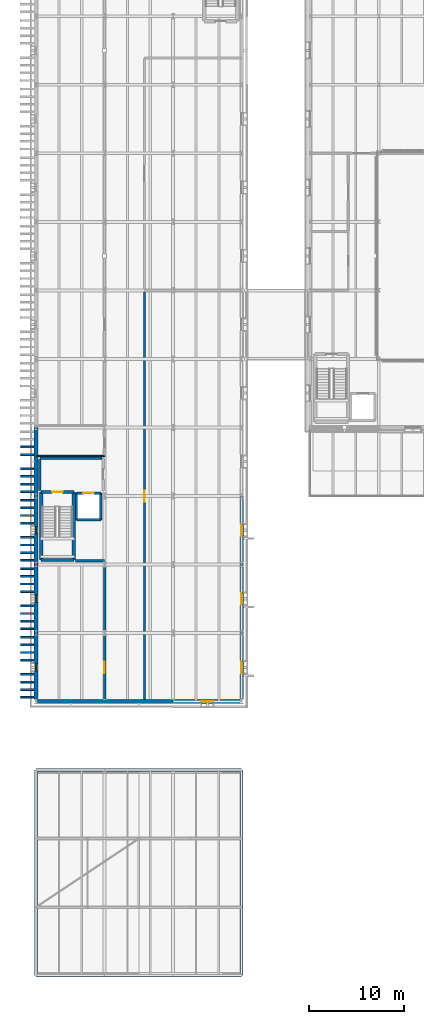
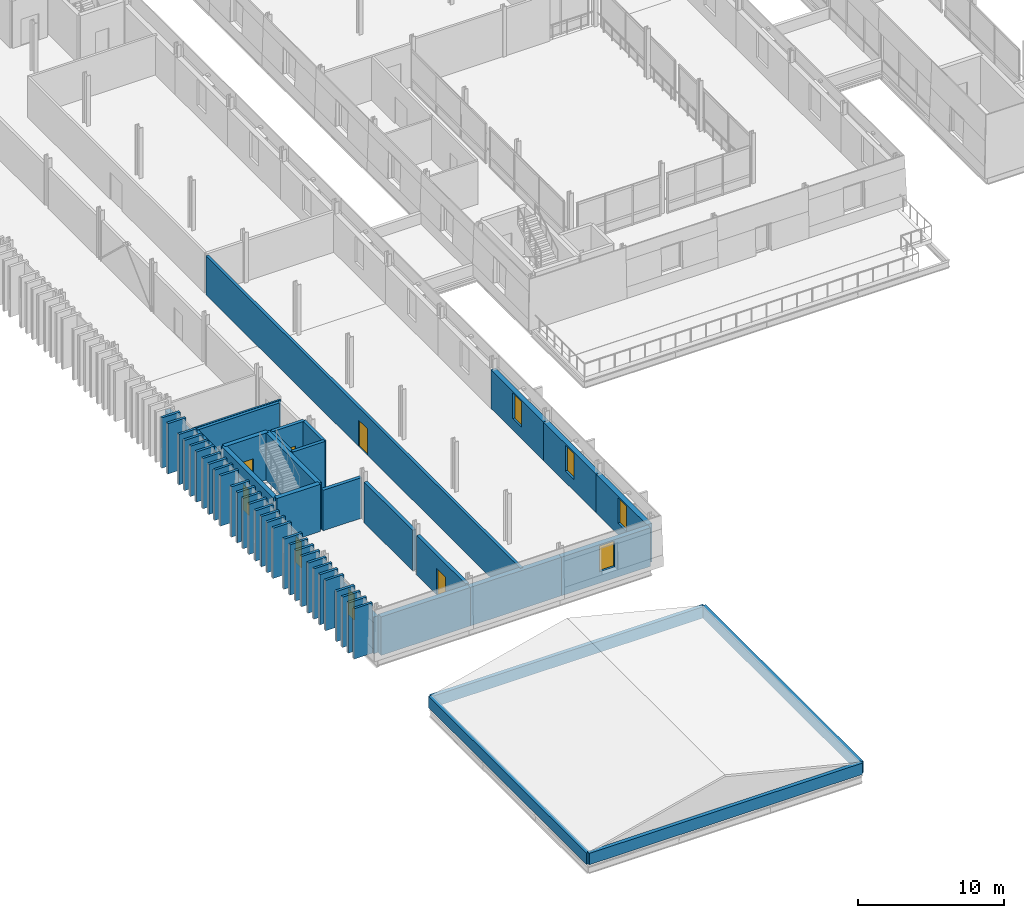
# One storey, part 56 of 91: 59 walls, 7 windows, 4 doors, 11 openings.
"""IFC4 building model written with IfcOpenShell, lengths in metres."""

from ifc_helpers import new_model, si_unit, direction, frame, frame_2d, origin, place, context, subcontext, project, spatial, rectangle, extrude, material, layer, layer_set, type_object, element, fill, save


model = new_model("IFC4")

# Units and contexts
model_context = context("Model", 3, precision=1e-05, world=origin(), true_north=direction((0.0, 1.0)))
body_context = subcontext(model_context, "Body", "Model", "MODEL_VIEW")
ifc_project = project(units=[si_unit("LENGTHUNIT", "METRE"), si_unit("AREAUNIT", "SQUARE_METRE"), si_unit("VOLUMEUNIT", "CUBIC_METRE"), si_unit("PLANEANGLEUNIT", "RADIAN"), si_unit("MASSUNIT", "GRAM", prefix="KILO")], contexts=[model_context])

# Site, building, storey
site_placement = place(None, origin())
site = spatial("IfcSite", under=ifc_project, at=site_placement, CompositionType="ELEMENT")
building_placement = place(site_placement, origin())
building = spatial("IfcBuilding", under=site, at=building_placement, Name="Narikvali Park Central Library", CompositionType="ELEMENT")
storey_placement = place(building_placement, frame((0.0, 0.0, 14.39990234375)))
storey = spatial("IfcBuildingStorey", under=building, at=storey_placement, Name="L03", CompositionType="ELEMENT", Elevation=14.39990234375)

# Wall, opening, door
ifc_material_1 = material(Name="Reinforced Masonry Blockwork C30/37", Category="masonry")
ifc_layer_1 = layer(ifc_material_1, 0.219970703125, Name="Reinforced Masonry Blockwork C30/37")
ifc_layer_set_1 = layer_set([ifc_layer_1], Name="Reinforced Masonry Blockwork C30/37")
wall_type_1 = type_object("IfcWallType", Name="Archive Fire-Resisting Partition 220", PredefinedType="SOLIDWALL", material=ifc_layer_set_1)
wall_1_placement = place(storey_placement, frame((11.39990234375, 28.85498046875, 0.0), z_axis=(0.0, 0.0, 1.0), x_axis=(0.0, 1.0, 0.0)))
wall_1 = element("IfcWall", 1, at=wall_1_placement, inside=storey, type_object=wall_type_1, Name="Closed Book Stacks L03 Partition W", PredefinedType="SOLIDWALL", context=body_context, shape_type="SweptSolid", body=[
    extrude(rectangle(XDim=43.032958984375, YDim=0.219970703125, at=frame_2d((21.5166015625, 0.0))), origin(), (0.0, 0.0, 1.0), 3.2451171875),
])
opening_1_placement = place(wall_1_placement, frame((20.91650390625, 0.0, 0.0)))
opening_1 = element("IfcOpeningElement", 2, at=opening_1_placement, cuts=wall_1, Name="Opening ID-0132", PredefinedType="OPENING", context=body_context, shape_type="SweptSolid", body=[
    extrude(rectangle(XDim=1.199951171875, YDim=2.199951171875, at=frame_2d((0.60009765625, 1.10009765625))), frame((0.0, 0.1220703125, 0.0), z_axis=(0.0, -1.0, 0.0), x_axis=(1.0, 0.0, 0.0)), (0.0, 0.0, 1.0), 0.243896484375),
])
ifc_material_2 = material(Name="Insulated Steel S355 Vault Leaf", Category="steel")
door_type_1 = type_object("IfcDoorType", Name="Archive Vault Heavy Fire Door 1200x2200", OperationType="SINGLE_SWING_LEFT", PredefinedType="DOOR", material=ifc_material_2)
door_1_placement = place(opening_1_placement, frame((1.199951171875, 0.0, 0.0), z_axis=(0.0, 0.0, 1.0), x_axis=(-1.0, 0.0, 0.0)))
door_1 = element("IfcDoor", 3, at=door_1_placement, inside=storey, type_object=door_type_1, Name="Closed Book Stacks L03 Door ID-0132", OperationType="SINGLE_SWING_RIGHT", OverallHeight=2.199951171875, OverallWidth=1.199951171875, PredefinedType="DOOR", context=body_context, shape_type="SweptSolid", body=[
    extrude(rectangle(XDim=1.199951171875, YDim=2.199951171875, at=frame_2d((0.60009765625, 1.10009765625))), frame((0.0, 0.02490234375, 0.0), z_axis=(0.0, -1.0, 0.0), x_axis=(1.0, 0.0, 0.0)), (0.0, 0.0, 1.0), 0.050048828125),
])
fill(opening_1, door_1)

# Walls
ifc_material_3 = material(Name="Autoclaved Concrete Blockwork C25/30", Category="masonry")
ifc_layer_2 = layer(ifc_material_3, 0.239990234375, Name="Autoclaved Concrete Blockwork C25/30")
ifc_layer_set_2 = layer_set([ifc_layer_2], Name="Autoclaved Concrete Blockwork C25/30")
wall_type_2 = type_object("IfcWallType", Name="Fire Compartment Concrete Block Wall 240", PredefinedType="SOLIDWALL", material=ifc_layer_set_2)
wall_2_placement = place(storey_placement, frame((0.39990234375, 54.35009765625, 0.0), z_axis=(0.0, 0.0, 1.0), x_axis=(1.0, 0.0, 0.0)))
element("IfcWall", 4, at=wall_2_placement, inside=storey, type_object=wall_type_2, Name="C5A L03 Firefighting Lobby Wall N", PredefinedType="SOLIDWALL", context=body_context, shape_type="SweptSolid", body=[
    extrude(rectangle(XDim=6.52001953125, YDim=0.239990234375, at=frame_2d((3.260009765625, 0.0))), origin(), (0.0, 0.0, 1.0), 3.2001953125),
])
wall_3_placement = place(storey_placement, frame((0.39990234375, 50.949951171875, 0.0), z_axis=(0.0, 0.0, 1.0), x_axis=(0.0, 1.0, 0.0)))
element("IfcWall", 5, at=wall_3_placement, inside=storey, type_object=wall_type_2, Name="C5A L03 Firefighting Lobby Wall W", PredefinedType="SOLIDWALL", context=body_context, shape_type="SweptSolid", body=[
    extrude(rectangle(XDim=3.27001953125, YDim=0.239990234375, at=frame_2d((1.635009765625, 0.0))), origin(), (0.0, 0.0, 1.0), 3.2001953125),
])
ifc_material_4 = material(Name="Kiln-Fired Terracotta Red Brick Masonry", Category="masonry")
ifc_layer_3 = layer(ifc_material_4, 0.199951171875, Name="Kiln-Fired Terracotta Red Brick Masonry")
ifc_layer_set_3 = layer_set([ifc_layer_3], Name="Kiln-Fired Terracotta Red Brick Masonry")
wall_type_3 = type_object("IfcWallType", Name="Kiln-Fired Red Brick Vertical Fin Wall 200", PredefinedType="SOLIDWALL", material=ifc_layer_set_3)
for number, where, z_axis, x_axis, name in (
    (6, (-1.659912109375, 29.25, 0.0), (0.0, 0.0, 1.0), (1.0, 0.0, 0.0), "West Stacks Red Brick Vertical Fin Pier 004"),
    (7, (-1.659912109375, 30.050048828125, 0.0), (0.0, 0.0, 1.0), (1.0, 0.0, 0.0), "West Stacks Red Brick Vertical Fin Pier 008"),
    (8, (-1.659912109375, 30.85009765625, 0.0), (0.0, 0.0, 1.0), (1.0, 0.0, 0.0), "West Stacks Red Brick Vertical Fin Pier 012"),
    (9, (-1.659912109375, 31.64990234375, 0.0), (0.0, 0.0, 1.0), (1.0, 0.0, 0.0), "West Stacks Red Brick Vertical Fin Pier 016"),
    (10, (-1.659912109375, 33.14990234375, 0.0), (0.0, 0.0, 1.0), (1.0, 0.0, 0.0), "West Stacks Red Brick Vertical Fin Pier 020"),
    (11, (-1.659912109375, 33.949951171875, 0.0), (0.0, 0.0, 1.0), (1.0, 0.0, 0.0), "West Stacks Red Brick Vertical Fin Pier 024"),
    (12, (-1.659912109375, 34.75, 0.0), (0.0, 0.0, 1.0), (1.0, 0.0, 0.0), "West Stacks Red Brick Vertical Fin Pier 028"),
    (13, (-1.659912109375, 35.550048828125, 0.0), (0.0, 0.0, 1.0), (1.0, 0.0, 0.0), "West Stacks Red Brick Vertical Fin Pier 032"),
    (14, (-1.659912109375, 36.449951171875, 0.0), (0.0, 0.0, 1.0), (1.0, 0.0, 0.0), "West Stacks Red Brick Vertical Fin Pier 036"),
    (15, (-1.659912109375, 37.25, 0.0), (0.0, 0.0, 1.0), (1.0, 0.0, 0.0), "West Stacks Red Brick Vertical Fin Pier 041"),
    (16, (-1.659912109375, 38.050048828125, 0.0), (0.0, 0.0, 1.0), (1.0, 0.0, 0.0), "West Stacks Red Brick Vertical Fin Pier 046"),
    (17, (-1.659912109375, 38.85009765625, 0.0), (0.0, 0.0, 1.0), (1.0, 0.0, 0.0), "West Stacks Red Brick Vertical Fin Pier 051"),
    (18, (-1.659912109375, 40.35009765625, 0.0), (0.0, 0.0, 1.0), (1.0, 0.0, 0.0), "West Stacks Red Brick Vertical Fin Pier 056"),
    (19, (-1.659912109375, 41.14990234375, 0.0), (0.0, 0.0, 1.0), (1.0, 0.0, 0.0), "West Stacks Red Brick Vertical Fin Pier 061"),
    (20, (-1.659912109375, 41.949951171875, 0.0), (0.0, 0.0, 1.0), (1.0, 0.0, 0.0), "West Stacks Red Brick Vertical Fin Pier 066"),
    (21, (-1.659912109375, 42.75, 0.0), (0.0, 0.0, 1.0), (1.0, 0.0, 0.0), "West Stacks Red Brick Vertical Fin Pier 071"),
    (22, (-1.659912109375, 43.64990234375, 0.0), (0.0, 0.0, 1.0), (1.0, 0.0, 0.0), "West Stacks Red Brick Vertical Fin Pier 076"),
    (23, (-1.659912109375, 44.449951171875, 0.0), (0.0, 0.0, 1.0), (1.0, 0.0, 0.0), "West Stacks Red Brick Vertical Fin Pier 082"),
    (24, (-1.659912109375, 45.25, 0.0), (0.0, 0.0, 1.0), (1.0, 0.0, 0.0), "West Stacks Red Brick Vertical Fin Pier 088"),
    (25, (-1.659912109375, 46.050048828125, 0.0), (0.0, 0.0, 1.0), (1.0, 0.0, 0.0), "West Stacks Red Brick Vertical Fin Pier 094"),
    (26, (-1.659912109375, 47.550048828125, 0.0), (0.0, 0.0, 1.0), (1.0, 0.0, 0.0), "West Stacks Red Brick Vertical Fin Pier 100"),
    (27, (-1.659912109375, 48.35009765625, 0.0), (0.0, 0.0, 1.0), (1.0, 0.0, 0.0), "West Stacks Red Brick Vertical Fin Pier 106"),
    (28, (-1.659912109375, 49.14990234375, 0.0), (0.0, 0.0, 1.0), (1.0, 0.0, 0.0), "West Stacks Red Brick Vertical Fin Pier 112"),
    (29, (-1.659912109375, 49.949951171875, 0.0), (0.0, 0.0, 1.0), (1.0, 0.0, 0.0), "West Stacks Red Brick Vertical Fin Pier 118"),
    (30, (-1.659912109375, 50.85009765625, 0.0), (0.0, 0.0, 1.0), (1.0, 0.0, 0.0), "West Stacks Red Brick Vertical Fin Pier 124"),
    (31, (-1.659912109375, 51.64990234375, 0.0), (0.0, 0.0, 1.0), (1.0, 0.0, 0.0), "West Stacks Red Brick Vertical Fin Pier 130"),
    (32, (-1.659912109375, 52.449951171875, 0.0), (0.0, 0.0, 1.0), (1.0, 0.0, 0.0), "West Stacks Red Brick Vertical Fin Pier 136"),
    (33, (-1.659912109375, 53.25, 0.0), (0.0, 0.0, 1.0), (1.0, 0.0, 0.0), "West Stacks Red Brick Vertical Fin Pier 142"),
    (34, (-1.659912109375, 54.75, 0.0), (0.0, 0.0, 1.0), (1.0, 0.0, 0.0), "West Stacks Red Brick Vertical Fin Pier 148"),
    (35, (-1.659912109375, 55.550048828125, 0.0), (0.0, 0.0, 1.0), (1.0, 0.0, 0.0), "West Stacks Red Brick Vertical Fin Pier 154"),
):
    element("IfcWall", number, at=place(storey_placement, frame(where, z_axis=z_axis, x_axis=x_axis)), inside=storey, type_object=wall_type_3, Name=name, PredefinedType="SOLIDWALL", context=body_context, shape_type="SweptSolid", body=[
        extrude(rectangle(XDim=1.43994140625, YDim=0.199951171875, at=frame_2d((0.719970703125, 0.0))), origin(), (0.0, 0.0, 1.0), 4.2001953125),
    ])
ifc_material_5 = material(Name="White Honed Limestone over Concrete C35/45", Category="masonry")
ifc_layer_4 = layer(ifc_material_5, 0.300048828125, Name="White Honed Limestone over Concrete C35/45")
ifc_layer_set_4 = layer_set([ifc_layer_4], Name="White Honed Limestone over Concrete C35/45")
wall_type_4 = type_object("IfcWallType", Name="Limestone Coping Parapet Wall 300", PredefinedType="PARAPET", material=ifc_layer_set_4)
for number, where, z_axis, x_axis, name in (
    (36, (0.0, 0.0, 0.0), (0.0, 0.0, 1.0), (1.0, 0.0, 0.0), "V2 L03 Roof Limestone Parapet S"),
    (37, (21.60009765625, 0.0, 0.0), (0.0, 0.0, 1.0), (0.0, 1.0, 0.0), "V2 L03 Roof Limestone Parapet E"),
    (38, (21.60009765625, 21.60009765625, 0.0), (0.0, 0.0, 1.0), (-1.0, 0.0, 0.0), "V2 L03 Roof Limestone Parapet N"),
    (39, (0.0, 21.60009765625, 0.0), (0.0, 0.0, 1.0), (0.0, -1.0, 0.0), "V2 L03 Roof Limestone Parapet W"),
):
    element("IfcWall", number, at=place(storey_placement, frame(where, z_axis=z_axis, x_axis=x_axis)), inside=storey, type_object=wall_type_4, Name=name, PredefinedType="PARAPET", context=body_context, shape_type="SweptSolid", body=[
        extrude(rectangle(XDim=21.60009765625, YDim=0.300048828125, at=frame_2d((10.800048828125, 0.0))), origin(), (0.0, 0.0, 1.0), 0.9501953125),
    ])
ifc_material_6 = material(Name="Moisture-Resistant Cement Board on Steel Studs", Category="steel")
ifc_layer_5 = layer(ifc_material_6, 0.14990234375, Name="Moisture-Resistant Cement Board on Steel Studs")
ifc_layer_set_5 = layer_set([ifc_layer_5], Name="Moisture-Resistant Cement Board on Steel Studs")
wall_type_5 = type_object("IfcWallType", Name="Moisture-Resistant WC Partition 150", PredefinedType="PARTITIONING", material=ifc_layer_set_5)
wall_4_placement = place(storey_placement, frame((0.054931640625, 54.60009765625, 0.0), z_axis=(0.0, 0.0, 1.0), x_axis=(1.0, 0.0, 0.0)))
element("IfcWall", 40, at=wall_4_placement, inside=storey, type_object=wall_type_5, Name="Stacks Wing Accessible WC L03 Partition S", PredefinedType="PARTITIONING", context=body_context, shape_type="SweptSolid", body=[
    extrude(rectangle(XDim=7.14501953125, YDim=0.14990234375, at=frame_2d((3.572509765625, 0.0))), origin(), (0.0, 0.0, 1.0), 3.172119140625),
])
ifc_material_7 = material(Name="High-Density Concrete Blockwork C35/45", Category="masonry")
ifc_layer_6 = layer(ifc_material_7, 0.27001953125, Name="High-Density Concrete Blockwork C35/45")
ifc_layer_set_6 = layer_set([ifc_layer_6], Name="High-Density Concrete Blockwork C35/45")
wall_type_6 = type_object("IfcWallType", Name="Rare Books Vault Partition Wall 270", PredefinedType="SOLIDWALL", material=ifc_layer_set_6)
wall_5_placement = place(storey_placement, frame((4.14697265625, 43.60009765625, 0.0), z_axis=(0.0, 0.0, 1.0), x_axis=(1.0, 0.0, 0.0)))
element("IfcWall", 41, at=wall_5_placement, inside=storey, type_object=wall_type_6, Name="Municipal Records Archive L03 Partition N", PredefinedType="SOLIDWALL", context=body_context, shape_type="SweptSolid", body=[
    extrude(rectangle(XDim=3.052978515625, YDim=0.27001953125, at=frame_2d((1.5263671875, 0.0))), origin(), (0.0, 0.0, 1.0), 3.385009765625),
])

# Wall, opening, door
wall_6_placement = place(storey_placement, frame((7.199951171875, 29.029052734375, 0.0), z_axis=(0.0, 0.0, 1.0), x_axis=(0.0, 1.0, 0.0)))
wall_6 = element("IfcWall", 42, at=wall_6_placement, inside=storey, type_object=wall_type_6, Name="Municipal Records Archive L03 Partition E", PredefinedType="SOLIDWALL", context=body_context, shape_type="SweptSolid", body=[
    extrude(rectangle(XDim=6.69189453125, YDim=0.27001953125, at=frame_2d((3.345947265625, 0.0))), origin(), (0.0, 0.0, 1.0), 3.30517578125),
])
opening_2_placement = place(wall_6_placement, frame((2.74609375, 0.0, 0.0)))
opening_2 = element("IfcOpeningElement", 43, at=opening_2_placement, cuts=wall_6, Name="Opening ID-0129", PredefinedType="OPENING", context=body_context, shape_type="SweptSolid", body=[
    extrude(rectangle(XDim=1.199951171875, YDim=2.199951171875, at=frame_2d((0.60009765625, 1.10009765625))), frame((0.0, 0.14697265625, 0.0), z_axis=(0.0, -1.0, 0.0), x_axis=(1.0, 0.0, 0.0)), (0.0, 0.0, 1.0), 0.2939453125),
])
door_2_placement = place(opening_2_placement, origin())
door_2 = element("IfcDoor", 44, at=door_2_placement, inside=storey, type_object=door_type_1, Name="Municipal Records Archive L03 Door ID-0129", OperationType="SINGLE_SWING_LEFT", OverallHeight=2.199951171875, OverallWidth=1.199951171875, PredefinedType="DOOR", context=body_context, shape_type="SweptSolid", body=[
    extrude(rectangle(XDim=1.199951171875, YDim=2.199951171875, at=frame_2d((0.60009765625, 1.10009765625))), frame((0.0, 0.02490234375, 0.0), z_axis=(0.0, -1.0, 0.0), x_axis=(1.0, 0.0, 0.0)), (0.0, 0.0, 1.0), 0.050048828125),
])
fill(opening_2, door_2)

# Walls
wall_7_placement = place(storey_placement, frame((7.199951171875, 36.279052734375, 0.0), z_axis=(0.0, 0.0, 1.0), x_axis=(0.0, 1.0, 0.0)))
element("IfcWall", 45, at=wall_7_placement, inside=storey, type_object=wall_type_6, Name="Municipal Records Archive L03 Partition E", PredefinedType="SOLIDWALL", context=body_context, shape_type="SweptSolid", body=[
    extrude(rectangle(XDim=6.641845703125, YDim=0.27001953125, at=frame_2d((3.32080078125, 0.0))), origin(), (0.0, 0.0, 1.0), 3.385009765625),
])
ifc_material_8 = material(Name="Concrete C40/50", Category="concrete")
ifc_layer_7 = layer(ifc_material_8, 0.35009765625, Name="Concrete C40/50")
ifc_layer_set_7 = layer_set([ifc_layer_7], Name="Concrete C40/50")
wall_type_7 = type_object("IfcWallType", Name="Reinforced Concrete Core Shear Wall 350", PredefinedType="SHEAR", material=ifc_layer_set_7)
wall_8_placement = place(storey_placement, frame((0.530029296875, 43.679931640625, 0.0), z_axis=(0.0, 0.0, 1.0), x_axis=(1.0, 0.0, 0.0)))
element("IfcWall", 46, at=wall_8_placement, inside=storey, type_object=wall_type_7, Name="C5A L03 Stair Core Shear Wall S", PredefinedType="SHEAR", context=body_context, shape_type="SweptSolid", body=[
    extrude(rectangle(XDim=3.43994140625, YDim=0.35009765625, at=frame_2d((1.719970703125, 0.0))), origin(), (0.0, 0.0, 1.0), 3.940185546875),
])
wall_9_placement = place(storey_placement, frame((3.969970703125, 43.679931640625, 0.0), z_axis=(0.0, 0.0, 1.0), x_axis=(0.0, 1.0, 0.0)))
element("IfcWall", 47, at=wall_9_placement, inside=storey, type_object=wall_type_7, Name="C5A L03 Stair Core Shear Wall E", PredefinedType="SHEAR", context=body_context, shape_type="SweptSolid", body=[
    extrude(rectangle(XDim=7.14013671875, YDim=0.35009765625, at=frame_2d((3.570068359375, 0.0))), origin(), (0.0, 0.0, 1.0), 3.940185546875),
])

# Wall, opening, door
wall_10_placement = place(storey_placement, frame((3.969970703125, 50.820068359375, 0.0), z_axis=(0.0, 0.0, 1.0), x_axis=(-1.0, 0.0, 0.0)))
wall_10 = element("IfcWall", 48, at=wall_10_placement, inside=storey, type_object=wall_type_7, Name="C5A L03 Stair Core Shear Wall N", PredefinedType="SHEAR", context=body_context, shape_type="SweptSolid", body=[
    extrude(rectangle(XDim=3.43994140625, YDim=0.35009765625, at=frame_2d((1.719970703125, 0.0))), origin(), (0.0, 0.0, 1.0), 3.940185546875),
])
opening_3_placement = place(wall_10_placement, frame((1.169921875, 0.0, 0.0)))
opening_3 = element("IfcOpeningElement", 49, at=opening_3_placement, cuts=wall_10, Name="Opening SD-044", PredefinedType="OPENING", context=body_context, shape_type="SweptSolid", body=[
    extrude(rectangle(XDim=1.10009765625, YDim=2.14990234375, at=frame_2d((0.550048828125, 1.074951171875))), frame((0.0, 0.18701171875, 0.0), z_axis=(0.0, -1.0, 0.0), x_axis=(1.0, 0.0, 0.0)), (0.0, 0.0, 1.0), 0.3740234375),
])
ifc_material_9 = material(Name="Powder-Coated Steel S275 Fire Leaf", Category="steel")
door_type_2 = type_object("IfcDoorType", Name="Stair Core Smoke-Control Fire Door 1100x2150", OperationType="SINGLE_SWING_LEFT", PredefinedType="DOOR", material=ifc_material_9)
door_3_placement = place(opening_3_placement, frame((1.10009765625, 0.0, 0.0), z_axis=(0.0, 0.0, 1.0), x_axis=(-1.0, 0.0, 0.0)))
door_3 = element("IfcDoor", 50, at=door_3_placement, inside=storey, type_object=door_type_2, Name="ST-09 L03 Stair Exit Door SD-044", OperationType="SINGLE_SWING_RIGHT", OverallHeight=2.14990234375, OverallWidth=1.10009765625, PredefinedType="DOOR", context=body_context, shape_type="SweptSolid", body=[
    extrude(rectangle(XDim=1.10009765625, YDim=2.14990234375, at=frame_2d((0.550048828125, 1.074951171875))), frame((0.0, 0.02490234375, 0.0), z_axis=(0.0, -1.0, 0.0), x_axis=(1.0, 0.0, 0.0)), (0.0, 0.0, 1.0), 0.050048828125),
])
fill(opening_3, door_3)

# Walls
wall_11_placement = place(storey_placement, frame((0.530029296875, 50.820068359375, 0.0), z_axis=(0.0, 0.0, 1.0), x_axis=(0.0, -1.0, 0.0)))
element("IfcWall", 51, at=wall_11_placement, inside=storey, type_object=wall_type_7, Name="C5A L03 Stair Core Shear Wall W", PredefinedType="SHEAR", context=body_context, shape_type="SweptSolid", body=[
    extrude(rectangle(XDim=7.14013671875, YDim=0.35009765625, at=frame_2d((3.570068359375, 0.0))), origin(), (0.0, 0.0, 1.0), 3.940185546875),
])
ifc_layer_8 = layer(ifc_material_8, 0.25, Name="Concrete C40/50")
ifc_layer_set_8 = layer_set([ifc_layer_8], Name="Concrete C40/50")
wall_type_8 = type_object("IfcWallType", Name="Reinforced Concrete Lift Shaft Wall 250", PredefinedType="SHEAR", material=ifc_layer_set_8)
wall_12_placement = place(storey_placement, frame((4.25, 47.89990234375, 0.0), z_axis=(0.0, 0.0, 1.0), x_axis=(1.0, 0.0, 0.0)))
element("IfcWall", 52, at=wall_12_placement, inside=storey, type_object=wall_type_8, Name="FF-01 L03 Lift Shaft Wall S", PredefinedType="SHEAR", context=body_context, shape_type="SweptSolid", body=[
    extrude(rectangle(XDim=2.550048828125, YDim=0.25, at=frame_2d((1.27490234375, 0.0))), origin(), (0.0, 0.0, 1.0), 3.940185546875),
])
wall_13_placement = place(storey_placement, frame((6.800048828125, 47.89990234375, 0.0), z_axis=(0.0, 0.0, 1.0), x_axis=(0.0, 1.0, 0.0)))
element("IfcWall", 53, at=wall_13_placement, inside=storey, type_object=wall_type_8, Name="FF-01 L03 Lift Shaft Wall E", PredefinedType="SHEAR", context=body_context, shape_type="SweptSolid", body=[
    extrude(rectangle(XDim=2.800048828125, YDim=0.25, at=frame_2d((1.39990234375, 0.0))), origin(), (0.0, 0.0, 1.0), 3.940185546875),
])

# Wall, opening, door
wall_14_placement = place(storey_placement, frame((6.800048828125, 50.699951171875, 0.0), z_axis=(0.0, 0.0, 1.0), x_axis=(-1.0, 0.0, 0.0)))
wall_14 = element("IfcWall", 54, at=wall_14_placement, inside=storey, type_object=wall_type_8, Name="FF-01 L03 Lift Shaft Wall N", PredefinedType="SHEAR", context=body_context, shape_type="SweptSolid", body=[
    extrude(rectangle(XDim=2.550048828125, YDim=0.25, at=frame_2d((1.27490234375, 0.0))), origin(), (0.0, 0.0, 1.0), 3.940185546875),
])
opening_4_placement = place(wall_14_placement, frame((0.72509765625, 0.0, 0.0)))
opening_4 = element("IfcOpeningElement", 55, at=opening_4_placement, cuts=wall_14, Name="Opening LD-038", PredefinedType="OPENING", context=body_context, shape_type="SweptSolid", body=[
    extrude(rectangle(XDim=1.10009765625, YDim=2.10009765625, at=frame_2d((0.550048828125, 1.050048828125))), frame((0.0, 0.136962890625, 0.0), z_axis=(0.0, -1.0, 0.0), x_axis=(1.0, 0.0, 0.0)), (0.0, 0.0, 1.0), 0.27392578125),
])
ifc_material_10 = material(Name="Brushed Stainless Steel S355", Category="steel")
door_type_3 = type_object("IfcDoorType", Name="Firefighting Lift Sliding Landing Door 1100x2100", OperationType="SLIDING_TO_RIGHT", PredefinedType="DOOR", material=ifc_material_10)
door_4_placement = place(opening_4_placement, origin())
door_4 = element("IfcDoor", 56, at=door_4_placement, inside=storey, type_object=door_type_3, Name="FF-01 L03 Lift Landing Sliding Door LD-038", OperationType="SLIDING_TO_RIGHT", OverallHeight=2.10009765625, OverallWidth=1.10009765625, PredefinedType="DOOR", context=body_context, shape_type="SweptSolid", body=[
    extrude(rectangle(XDim=1.10009765625, YDim=2.10009765625, at=frame_2d((0.550048828125, 1.050048828125))), frame((0.0, 0.02490234375, 0.0), z_axis=(0.0, -1.0, 0.0), x_axis=(1.0, 0.0, 0.0)), (0.0, 0.0, 1.0), 0.050048828125),
])
fill(opening_4, door_4)

# Walls
wall_15_placement = place(storey_placement, frame((4.25, 50.699951171875, 0.0), z_axis=(0.0, 0.0, 1.0), x_axis=(0.0, -1.0, 0.0)))
element("IfcWall", 57, at=wall_15_placement, inside=storey, type_object=wall_type_8, Name="FF-01 L03 Lift Shaft Wall W", PredefinedType="SHEAR", context=body_context, shape_type="SweptSolid", body=[
    extrude(rectangle(XDim=2.800048828125, YDim=0.25, at=frame_2d((1.39990234375, 0.0))), origin(), (0.0, 0.0, 1.0), 3.940185546875),
])
ifc_layer_9 = layer(ifc_material_5, 0.39990234375, Name="White Honed Limestone over Concrete C35/45")
ifc_layer_set_9 = layer_set([ifc_layer_9], Name="White Honed Limestone over Concrete C35/45")
wall_type_9 = type_object("IfcWallType", Name="White Limestone Battered Tier3 Wall 400", PredefinedType="SOLIDWALL", material=ifc_layer_set_9)
wall_16_placement = place(storey_placement, frame((0.154052734375, 28.800048828125, 0.0), z_axis=(0.0, 0.0, 1.0), x_axis=(1.0, 0.0, 0.0)))
element("IfcWall", 58, at=wall_16_placement, inside=storey, type_object=wall_type_9, Name="V5 L03 S Exterior Limestone Wall B01", PredefinedType="SOLIDWALL", context=body_context, shape_type="SweptSolid", body=[
    extrude(rectangle(XDim=7.0458984375, YDim=0.39990234375, at=frame_2d((3.52294921875, 0.0))), origin(), (0.0, 0.0, 1.0), 3.22021484375),
])
wall_17_placement = place(storey_placement, frame((7.199951171875, 28.800048828125, 0.0), z_axis=(0.0, 0.0, 1.0), x_axis=(1.0, 0.0, 0.0)))
element("IfcWall", 59, at=wall_17_placement, inside=storey, type_object=wall_type_9, Name="V5 L03 S Exterior Limestone Wall B02", PredefinedType="SOLIDWALL", context=body_context, shape_type="SweptSolid", body=[
    extrude(rectangle(XDim=7.199951171875, YDim=0.39990234375, at=frame_2d((3.60009765625, 0.0))), origin(), (0.0, 0.0, 1.0), 3.22021484375),
])

# Wall, opening, window
wall_18_placement = place(storey_placement, frame((14.39990234375, 28.800048828125, 0.0), z_axis=(0.0, 0.0, 1.0), x_axis=(1.0, 0.0, 0.0)))
wall_18 = element("IfcWall", 60, at=wall_18_placement, inside=storey, type_object=wall_type_9, Name="V5 L03 S Exterior Limestone Wall B03", PredefinedType="SOLIDWALL", context=body_context, shape_type="SweptSolid", body=[
    extrude(rectangle(XDim=7.046142578125, YDim=0.39990234375, at=frame_2d((3.52294921875, 0.0))), origin(), (0.0, 0.0, 1.0), 3.22021484375),
])
opening_5_placement = place(wall_18_placement, frame((3.0, 0.0, 0.949951171875)))
opening_5 = element("IfcOpeningElement", 61, at=opening_5_placement, cuts=wall_18, Name="Opening WIN-0284", PredefinedType="OPENING", context=body_context, shape_type="SweptSolid", body=[
    extrude(rectangle(XDim=1.199951171875, YDim=2.14990234375, at=frame_2d((0.60009765625, 1.074951171875))), frame((0.0, 0.2119140625, 0.0), z_axis=(0.0, -1.0, 0.0), x_axis=(1.0, 0.0, 0.0)), (0.0, 0.0, 1.0), 0.423828125),
])
ifc_material_11 = material(Name="Anodised Bronze Aluminium and Low-E Triple Glazing", Category="aluminium")
window_type_1 = type_object("IfcWindowType", Name="Stacks Archive Deep-Reveal Punched Window 1200x2150", PartitioningType="SINGLE_PANEL", PredefinedType="WINDOW", material=ifc_material_11)
window_1_placement = place(opening_5_placement, origin())
window_1 = element("IfcWindow", 62, at=window_1_placement, inside=storey, type_object=window_type_1, Name="V5 L03 S Deep-Reveal Window WIN-0284", OverallHeight=2.14990234375, OverallWidth=1.199951171875, PartitioningType="SINGLE_PANEL", PredefinedType="WINDOW", context=body_context, shape_type="SweptSolid", body=[
    extrude(rectangle(XDim=1.199951171875, YDim=2.14990234375, at=frame_2d((0.60009765625, 1.074951171875))), frame((0.0, 0.030029296875, 0.0), z_axis=(0.0, -1.0, 0.0), x_axis=(1.0, 0.0, 0.0)), (0.0, 0.0, 1.0), 0.06005859375),
])
fill(opening_5, window_1)

wall_19_placement = place(storey_placement, frame((21.60009765625, 29.029052734375, 0.0), z_axis=(0.0, 0.0, 1.0), x_axis=(0.0, 1.0, 0.0)))
wall_19 = element("IfcWall", 63, at=wall_19_placement, inside=storey, type_object=wall_type_9, Name="V5 L03 E Exterior Limestone Wall B01", PredefinedType="SOLIDWALL", context=body_context, shape_type="SweptSolid", body=[
    extrude(rectangle(XDim=6.970947265625, YDim=0.39990234375, at=frame_2d((3.4853515625, 0.0))), origin(), (0.0, 0.0, 1.0), 3.22021484375),
])
opening_6_placement = place(wall_19_placement, frame((2.77099609375, 0.0, 0.949951171875)))
opening_6 = element("IfcOpeningElement", 64, at=opening_6_placement, cuts=wall_19, Name="Opening WIN-0285", PredefinedType="OPENING", context=body_context, shape_type="SweptSolid", body=[
    extrude(rectangle(XDim=1.199951171875, YDim=2.14990234375, at=frame_2d((0.60009765625, 1.074951171875))), frame((0.0, 0.2119140625, 0.0), z_axis=(0.0, -1.0, 0.0), x_axis=(1.0, 0.0, 0.0)), (0.0, 0.0, 1.0), 0.423828125),
])
window_2_placement = place(opening_6_placement, origin())
window_2 = element("IfcWindow", 65, at=window_2_placement, inside=storey, type_object=window_type_1, Name="V5 L03 E Deep-Reveal Window WIN-0285", OverallHeight=2.14990234375, OverallWidth=1.199951171875, PartitioningType="SINGLE_PANEL", PredefinedType="WINDOW", context=body_context, shape_type="SweptSolid", body=[
    extrude(rectangle(XDim=1.199951171875, YDim=2.14990234375, at=frame_2d((0.60009765625, 1.074951171875))), frame((0.0, 0.030029296875, 0.0), z_axis=(0.0, -1.0, 0.0), x_axis=(1.0, 0.0, 0.0)), (0.0, 0.0, 1.0), 0.06005859375),
])
fill(opening_6, window_2)

wall_20_placement = place(storey_placement, frame((21.60009765625, 36.0, 0.0), z_axis=(0.0, 0.0, 1.0), x_axis=(0.0, 1.0, 0.0)))
wall_20 = element("IfcWall", 66, at=wall_20_placement, inside=storey, type_object=wall_type_9, Name="V5 L03 E Exterior Limestone Wall B02", PredefinedType="SOLIDWALL", context=body_context, shape_type="SweptSolid", body=[
    extrude(rectangle(XDim=7.199951171875, YDim=0.39990234375, at=frame_2d((3.60009765625, 0.0))), origin(), (0.0, 0.0, 1.0), 3.22021484375),
])
opening_7_placement = place(wall_20_placement, frame((3.0, 0.0, 0.949951171875)))
opening_7 = element("IfcOpeningElement", 67, at=opening_7_placement, cuts=wall_20, Name="Opening WIN-0286", PredefinedType="OPENING", context=body_context, shape_type="SweptSolid", body=[
    extrude(rectangle(XDim=1.199951171875, YDim=2.14990234375, at=frame_2d((0.60009765625, 1.074951171875))), frame((0.0, 0.2119140625, 0.0), z_axis=(0.0, -1.0, 0.0), x_axis=(1.0, 0.0, 0.0)), (0.0, 0.0, 1.0), 0.423828125),
])
window_3_placement = place(opening_7_placement, origin())
window_3 = element("IfcWindow", 68, at=window_3_placement, inside=storey, type_object=window_type_1, Name="V5 L03 E Deep-Reveal Window WIN-0286", OverallHeight=2.14990234375, OverallWidth=1.199951171875, PartitioningType="SINGLE_PANEL", PredefinedType="WINDOW", context=body_context, shape_type="SweptSolid", body=[
    extrude(rectangle(XDim=1.199951171875, YDim=2.14990234375, at=frame_2d((0.60009765625, 1.074951171875))), frame((0.0, 0.030029296875, 0.0), z_axis=(0.0, -1.0, 0.0), x_axis=(1.0, 0.0, 0.0)), (0.0, 0.0, 1.0), 0.06005859375),
])
fill(opening_7, window_3)

wall_21_placement = place(storey_placement, frame((21.60009765625, 43.199951171875, 0.0), z_axis=(0.0, 0.0, 1.0), x_axis=(0.0, 1.0, 0.0)))
wall_21 = element("IfcWall", 69, at=wall_21_placement, inside=storey, type_object=wall_type_9, Name="V5 L03 E Exterior Limestone Wall B03", PredefinedType="SOLIDWALL", context=body_context, shape_type="SweptSolid", body=[
    extrude(rectangle(XDim=7.199951171875, YDim=0.39990234375, at=frame_2d((3.60009765625, 0.0))), origin(), (0.0, 0.0, 1.0), 3.22021484375),
])
opening_8_placement = place(wall_21_placement, frame((3.0, 0.0, 0.949951171875)))
opening_8 = element("IfcOpeningElement", 70, at=opening_8_placement, cuts=wall_21, Name="Opening WIN-0287", PredefinedType="OPENING", context=body_context, shape_type="SweptSolid", body=[
    extrude(rectangle(XDim=1.199951171875, YDim=2.14990234375, at=frame_2d((0.60009765625, 1.074951171875))), frame((0.0, 0.2119140625, 0.0), z_axis=(0.0, -1.0, 0.0), x_axis=(1.0, 0.0, 0.0)), (0.0, 0.0, 1.0), 0.423828125),
])
window_4_placement = place(opening_8_placement, origin())
window_4 = element("IfcWindow", 71, at=window_4_placement, inside=storey, type_object=window_type_1, Name="V5 L03 E Deep-Reveal Window WIN-0287", OverallHeight=2.14990234375, OverallWidth=1.199951171875, PartitioningType="SINGLE_PANEL", PredefinedType="WINDOW", context=body_context, shape_type="SweptSolid", body=[
    extrude(rectangle(XDim=1.199951171875, YDim=2.14990234375, at=frame_2d((0.60009765625, 1.074951171875))), frame((0.0, 0.030029296875, 0.0), z_axis=(0.0, -1.0, 0.0), x_axis=(1.0, 0.0, 0.0)), (0.0, 0.0, 1.0), 0.06005859375),
])
fill(opening_8, window_4)

# Wall
wall_22_placement = place(storey_placement, frame((0.0, 57.60009765625, 0.0), z_axis=(0.0, 0.0, 1.0), x_axis=(0.0, -1.0, 0.0)))
element("IfcWall", 72, at=wall_22_placement, inside=storey, type_object=wall_type_9, Name="V5 L03 W Exterior Limestone Wall B08", PredefinedType="SOLIDWALL", context=body_context, shape_type="SweptSolid", body=[
    extrude(rectangle(XDim=7.2001953125, YDim=0.39990234375, at=frame_2d((3.60009765625, 0.0))), origin(), (0.0, 0.0, 1.0), 3.06005859375),
])

# Wall, opening, window
wall_23_placement = place(storey_placement, frame((0.0, 50.39990234375, 0.0), z_axis=(0.0, 0.0, 1.0), x_axis=(0.0, -1.0, 0.0)))
wall_23 = element("IfcWall", 73, at=wall_23_placement, inside=storey, type_object=wall_type_9, Name="V5 L03 W Exterior Limestone Wall B09", PredefinedType="SOLIDWALL", context=body_context, shape_type="SweptSolid", body=[
    extrude(rectangle(XDim=7.199951171875, YDim=0.39990234375, at=frame_2d((3.60009765625, 0.0))), origin(), (0.0, 0.0, 1.0), 3.06005859375),
])
opening_9_placement = place(wall_23_placement, frame((3.199951171875, 0.0, 0.949951171875)))
opening_9 = element("IfcOpeningElement", 74, at=opening_9_placement, cuts=wall_23, Name="Opening WIN-0304", PredefinedType="OPENING", context=body_context, shape_type="SweptSolid", body=[
    extrude(rectangle(XDim=0.800048828125, YDim=2.14990234375, at=frame_2d((0.39990234375, 1.074951171875))), frame((0.0, 0.2119140625, 0.0), z_axis=(0.0, -1.0, 0.0), x_axis=(1.0, 0.0, 0.0)), (0.0, 0.0, 1.0), 0.423828125),
])
window_type_2 = type_object("IfcWindowType", Name="West Fin-Bay Narrow Carrel Slot Window 800x2150", PartitioningType="SINGLE_PANEL", PredefinedType="WINDOW", material=ifc_material_11)
window_5_placement = place(opening_9_placement, origin())
window_5 = element("IfcWindow", 75, at=window_5_placement, inside=storey, type_object=window_type_2, Name="V5 L03 W Deep-Reveal Window WIN-0304", OverallHeight=2.14990234375, OverallWidth=0.800048828125, PartitioningType="SINGLE_PANEL", PredefinedType="WINDOW", context=body_context, shape_type="SweptSolid", body=[
    extrude(rectangle(XDim=0.800048828125, YDim=2.14990234375, at=frame_2d((0.39990234375, 1.074951171875))), frame((0.0, 0.030029296875, 0.0), z_axis=(0.0, -1.0, 0.0), x_axis=(1.0, 0.0, 0.0)), (0.0, 0.0, 1.0), 0.06005859375),
])
fill(opening_9, window_5)

wall_24_placement = place(storey_placement, frame((0.0, 43.199951171875, 0.0), z_axis=(0.0, 0.0, 1.0), x_axis=(0.0, -1.0, 0.0)))
wall_24 = element("IfcWall", 76, at=wall_24_placement, inside=storey, type_object=wall_type_9, Name="V5 L03 W Exterior Limestone Wall B10", PredefinedType="SOLIDWALL", context=body_context, shape_type="SweptSolid", body=[
    extrude(rectangle(XDim=7.199951171875, YDim=0.39990234375, at=frame_2d((3.60009765625, 0.0))), origin(), (0.0, 0.0, 1.0), 3.06005859375),
])
opening_10_placement = place(wall_24_placement, frame((3.199951171875, 0.0, 0.949951171875)))
opening_10 = element("IfcOpeningElement", 77, at=opening_10_placement, cuts=wall_24, Name="Opening WIN-0305", PredefinedType="OPENING", context=body_context, shape_type="SweptSolid", body=[
    extrude(rectangle(XDim=0.800048828125, YDim=2.14990234375, at=frame_2d((0.39990234375, 1.074951171875))), frame((0.0, 0.2119140625, 0.0), z_axis=(0.0, -1.0, 0.0), x_axis=(1.0, 0.0, 0.0)), (0.0, 0.0, 1.0), 0.423828125),
])
window_6_placement = place(opening_10_placement, origin())
window_6 = element("IfcWindow", 78, at=window_6_placement, inside=storey, type_object=window_type_2, Name="V5 L03 W Deep-Reveal Window WIN-0305", OverallHeight=2.14990234375, OverallWidth=0.800048828125, PartitioningType="SINGLE_PANEL", PredefinedType="WINDOW", context=body_context, shape_type="SweptSolid", body=[
    extrude(rectangle(XDim=0.800048828125, YDim=2.14990234375, at=frame_2d((0.39990234375, 1.074951171875))), frame((0.0, 0.030029296875, 0.0), z_axis=(0.0, -1.0, 0.0), x_axis=(1.0, 0.0, 0.0)), (0.0, 0.0, 1.0), 0.06005859375),
])
fill(opening_10, window_6)

wall_25_placement = place(storey_placement, frame((0.0, 36.0, 0.0), z_axis=(0.0, 0.0, 1.0), x_axis=(0.0, -1.0, 0.0)))
wall_25 = element("IfcWall", 79, at=wall_25_placement, inside=storey, type_object=wall_type_9, Name="V5 L03 W Exterior Limestone Wall B11", PredefinedType="SOLIDWALL", context=body_context, shape_type="SweptSolid", body=[
    extrude(rectangle(XDim=6.970947265625, YDim=0.39990234375, at=frame_2d((3.4853515625, 0.0))), origin(), (0.0, 0.0, 1.0), 3.06005859375),
])
opening_11_placement = place(wall_25_placement, frame((3.199951171875, 0.0, 0.949951171875)))
opening_11 = element("IfcOpeningElement", 80, at=opening_11_placement, cuts=wall_25, Name="Opening WIN-0306", PredefinedType="OPENING", context=body_context, shape_type="SweptSolid", body=[
    extrude(rectangle(XDim=0.800048828125, YDim=2.14990234375, at=frame_2d((0.39990234375, 1.074951171875))), frame((0.0, 0.2119140625, 0.0), z_axis=(0.0, -1.0, 0.0), x_axis=(1.0, 0.0, 0.0)), (0.0, 0.0, 1.0), 0.423828125),
])
window_7_placement = place(opening_11_placement, origin())
window_7 = element("IfcWindow", 81, at=window_7_placement, inside=storey, type_object=window_type_2, Name="V5 L03 W Deep-Reveal Window WIN-0306", OverallHeight=2.14990234375, OverallWidth=0.800048828125, PartitioningType="SINGLE_PANEL", PredefinedType="WINDOW", context=body_context, shape_type="SweptSolid", body=[
    extrude(rectangle(XDim=0.800048828125, YDim=2.14990234375, at=frame_2d((0.39990234375, 1.074951171875))), frame((0.0, 0.030029296875, 0.0), z_axis=(0.0, -1.0, 0.0), x_axis=(1.0, 0.0, 0.0)), (0.0, 0.0, 1.0), 0.06005859375),
])
fill(opening_11, window_7)

save(model, "model.ifc")
